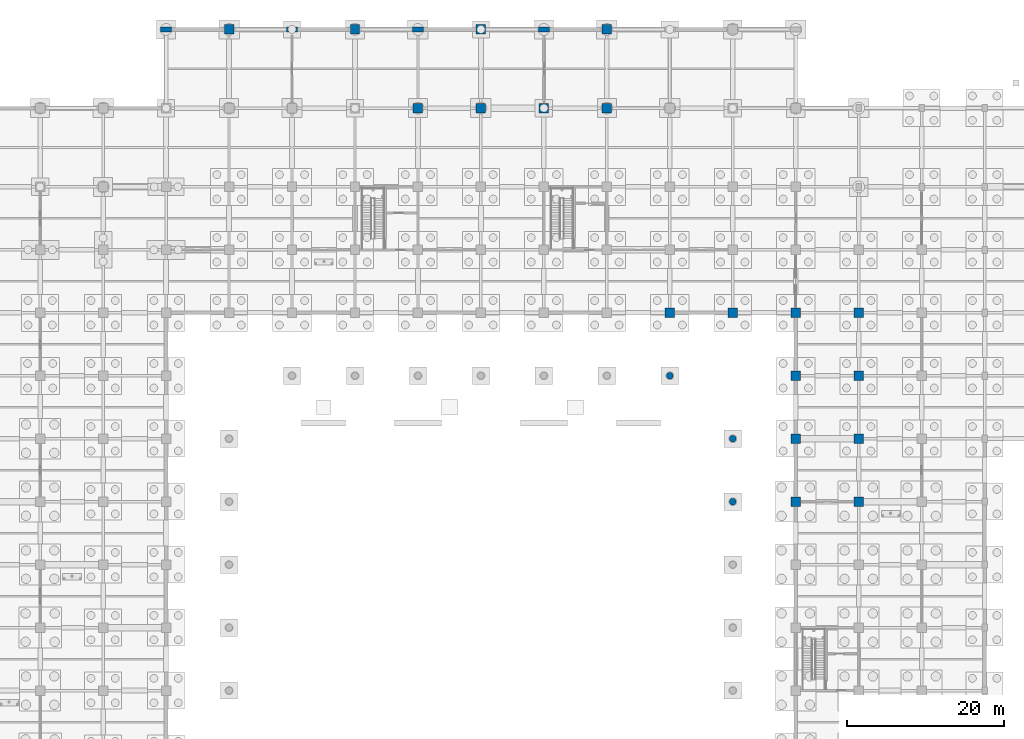
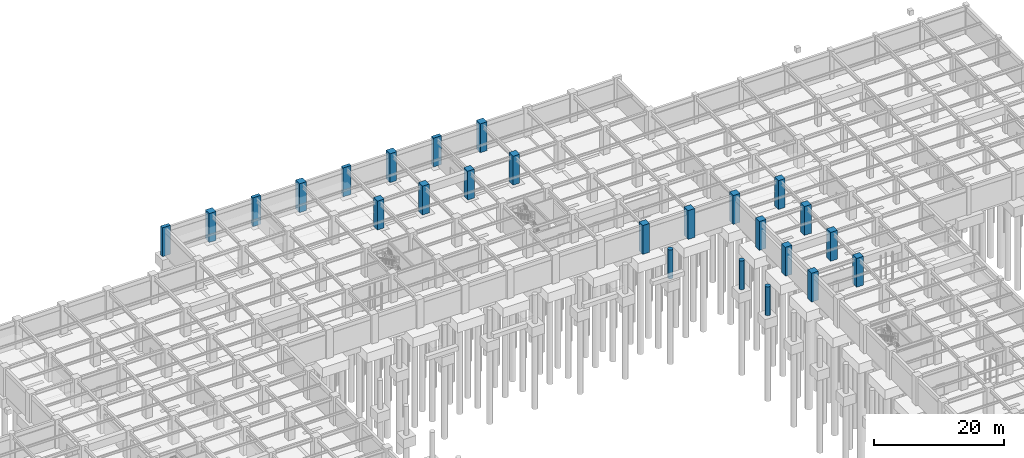
# One storey, part 56 of 97: 25 columns.
"""IFC4 building model written with IfcOpenShell, lengths in metres."""

from ifc_helpers import new_model, si_unit, direction, frame, origin, origin_2d, place, context, subcontext, project, spatial, rectangle, circle, extrude, material, material_profile, profile_set, type_object, element, save


model = new_model("IFC4")

# Units and contexts
model_context = context("Model", 3, precision=1e-05, world=origin(), true_north=direction((0.0, 1.0)))
body_context = subcontext(model_context, "Body", "Model", "MODEL_VIEW")
ifc_project = project(units=[si_unit("LENGTHUNIT", "METRE"), si_unit("AREAUNIT", "SQUARE_METRE"), si_unit("VOLUMEUNIT", "CUBIC_METRE"), si_unit("PLANEANGLEUNIT", "RADIAN"), si_unit("MASSUNIT", "GRAM", prefix="KILO")], contexts=[model_context])

# Site, building, storey
site_placement = place(None, origin())
site = spatial("IfcSite", under=ifc_project, at=site_placement, CompositionType="ELEMENT")
building_placement = place(site_placement, origin())
building = spatial("IfcBuilding", under=site, at=building_placement, Name="Haebicheon Civic Stadium", CompositionType="ELEMENT")
storey_placement = place(building_placement, frame((0.0, 0.0, -5.39990234375)))
storey = spatial("IfcBuildingStorey", under=building, at=storey_placement, Name="B1", CompositionType="ELEMENT", Elevation=-5.39990234375)

# Columns
ifc_material_1 = material(Name="Concrete C40/50", Category="concrete")
ifc_material_profile_1 = material_profile(ifc_material_1, rectangle(XDim=1.199951171875, YDim=1.199951171875, at=origin_2d()), Name="RC-COL-1200x1200")
ifc_profile_set_1 = profile_set([ifc_material_profile_1], Name="Concrete C40/50")
column_type_1 = type_object("IfcColumnType", Name="COL-RC-1200", PredefinedType="COLUMN", material=ifc_profile_set_1)
for number, where, z_axis, x_axis, name in (
    (1, (72.0, 188.0, 0.0), (0.0, 0.0, 1.0), (1.0, 0.0, 0.0), "B1 column 10/Z"),
    (2, (88.0, 188.0, 0.0), (0.0, 0.0, 1.0), (1.0, 0.0, 0.0), "B1 column 12/Z"),
    (3, (96.0, 178.0, 0.0), (0.0, 0.0, 1.0), (1.0, 0.0, 0.0), "B1 column 13/Y"),
    (4, (104.0, 178.0, 0.0), (0.0, 0.0, 1.0), (1.0, 0.0, 0.0), "B1 column 14/Y"),
    (5, (104.0, 188.0, 0.0), (0.0, 0.0, 1.0), (1.0, 0.0, 0.0), "B1 column 14/Z"),
    (6, (112.0, 178.0, 0.0), (0.0, 0.0, 1.0), (1.0, 0.0, 0.0), "B1 column 15/Y"),
    (7, (120.0, 178.0, 0.0), (0.0, 0.0, 1.0), (1.0, 0.0, 0.0), "B1 column 16/Y"),
    (8, (120.0, 188.0, 0.0), (0.0, 0.0, 1.0), (1.0, 0.0, 0.0), "B1 column 16/Z"),
    (9, (128.0, 152.0, 0.0), (0.0, 0.0, 1.0), (1.0, 0.0, 0.0), "B1 column 17/V"),
    (10, (136.0, 152.0, 0.0), (0.0, 0.0, 1.0), (1.0, 0.0, 0.0), "B1 column 18/V"),
    (11, (144.0, 128.0, 0.0), (0.0, 0.0, 1.0), (1.0, 0.0, 0.0), "B1 column 19/S"),
    (12, (144.0, 136.0, 0.0), (0.0, 0.0, 1.0), (1.0, 0.0, 0.0), "B1 column 19/T"),
    (13, (144.0, 144.0, 0.0), (0.0, 0.0, 1.0), (1.0, 0.0, 0.0), "B1 column 19/U"),
    (14, (144.0, 152.0, 0.0), (0.0, 0.0, 1.0), (1.0, 0.0, 0.0), "B1 column 19/V"),
    (15, (152.0, 128.0, 0.0), (0.0, 0.0, 1.0), (1.0, 0.0, 0.0), "B1 column 20/S"),
    (16, (152.0, 136.0, 0.0), (0.0, 0.0, 1.0), (1.0, 0.0, 0.0), "B1 column 20/T"),
    (17, (152.0, 144.0, 0.0), (0.0, 0.0, 1.0), (1.0, 0.0, 0.0), "B1 column 20/U"),
    (18, (152.0, 152.0, 0.0), (0.0, 0.0, 1.0), (1.0, 0.0, 0.0), "B1 column 20/V"),
):
    element("IfcColumn", number, at=place(storey_placement, frame(where, z_axis=z_axis, x_axis=x_axis)), inside=storey, type_object=column_type_1, material=ifc_profile_set_1, Name=name, PredefinedType="COLUMN", context=body_context, shape_type="SweptSolid", body=[
        extrude(rectangle(XDim=1.199951171875, YDim=1.199951171875, at=origin_2d()), origin(), (0.0, 0.0, 1.0), 5.39990234375),
    ])
ifc_material_2 = material(Name="Concrete C40/50", Category="concrete")
ifc_material_profile_2 = material_profile(ifc_material_2, circle(Radius=0.425048828125, at=origin_2d()), Name="RC-COL-D850")
ifc_profile_set_2 = profile_set([ifc_material_profile_2], Name="Concrete C40/50")
column_type_2 = type_object("IfcColumnType", Name="COL-RC-D850", PredefinedType="COLUMN", material=ifc_profile_set_2)
for number, where, z_axis, x_axis, name in (
    (19, (136.0, 128.0, 0.0), (0.0, 0.0, 1.0), (1.0, 0.0, 0.0), "Bowl/canopy support column 136/128 (B1)"),
    (20, (136.0, 136.0, 0.0), (0.0, 0.0, 1.0), (1.0, 0.0, 0.0), "Bowl/canopy support column 136/136 (B1)"),
    (21, (128.0, 144.0, 0.0), (0.0, 0.0, 1.0), (1.0, 0.0, 0.0), "Bowl/canopy support column 128/144 (B1)"),
):
    element("IfcColumn", number, at=place(storey_placement, frame(where, z_axis=z_axis, x_axis=x_axis)), inside=storey, type_object=column_type_2, material=ifc_profile_set_2, Name=name, PredefinedType="COLUMN", context=body_context, shape_type="SweptSolid", body=[
        extrude(circle(Radius=0.425048828125, at=origin_2d()), origin(), (0.0, 0.0, 1.0), 5.39990234375),
    ])
ifc_material_3 = material(Name="Concrete C40/50", Category="concrete")
ifc_material_profile_3 = material_profile(ifc_material_3, rectangle(XDim=0.60009765625, YDim=1.39990234375, at=origin_2d()), Name="RC-PIL-600x1400")
ifc_profile_set_3 = profile_set([ifc_material_profile_3], Name="Concrete C40/50")
column_type_3 = type_object("IfcColumnType", Name="PIL-RC-600x1400", PredefinedType="PILASTER", material=ifc_profile_set_3)
for number, where, z_axis, x_axis, name in (
    (22, (64.0, 188.0, 0.0), (0.0, 0.0, 1.0), (0.0, 1.0, 0.0), "B1 column 9/Z"),
    (23, (80.0, 188.0, 0.0), (0.0, 0.0, 1.0), (0.0, 1.0, 0.0), "B1 column 11/Z"),
    (24, (96.0, 188.0, 0.0), (0.0, 0.0, 1.0), (0.0, 1.0, 0.0), "B1 column 13/Z"),
    (25, (112.0, 188.0, 0.0), (0.0, 0.0, 1.0), (0.0, 1.0, 0.0), "B1 column 15/Z"),
):
    element("IfcColumn", number, at=place(storey_placement, frame(where, z_axis=z_axis, x_axis=x_axis)), inside=storey, type_object=column_type_3, material=ifc_profile_set_3, Name=name, PredefinedType="PILASTER", context=body_context, shape_type="SweptSolid", body=[
        extrude(rectangle(XDim=0.60009765625, YDim=1.39990234375, at=origin_2d()), origin(), (0.0, 0.0, 1.0), 5.39990234375),
    ])

save(model, "model.ifc")
